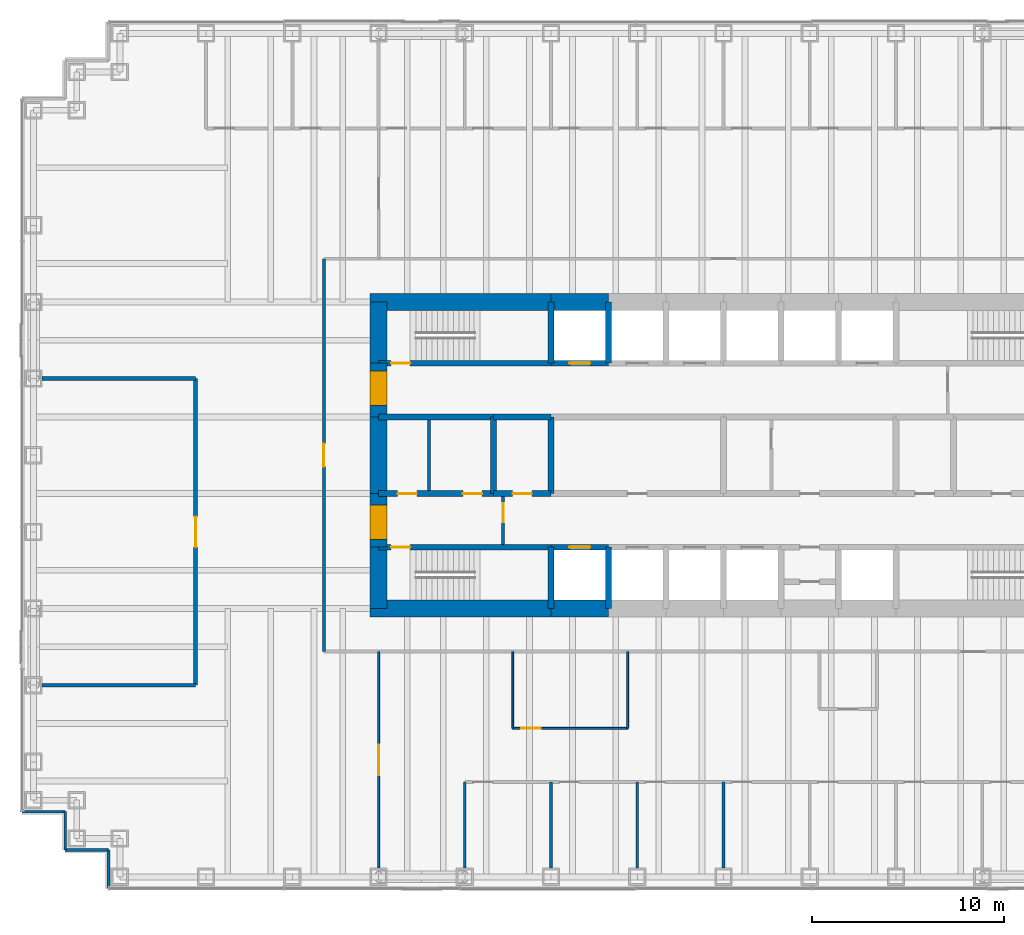
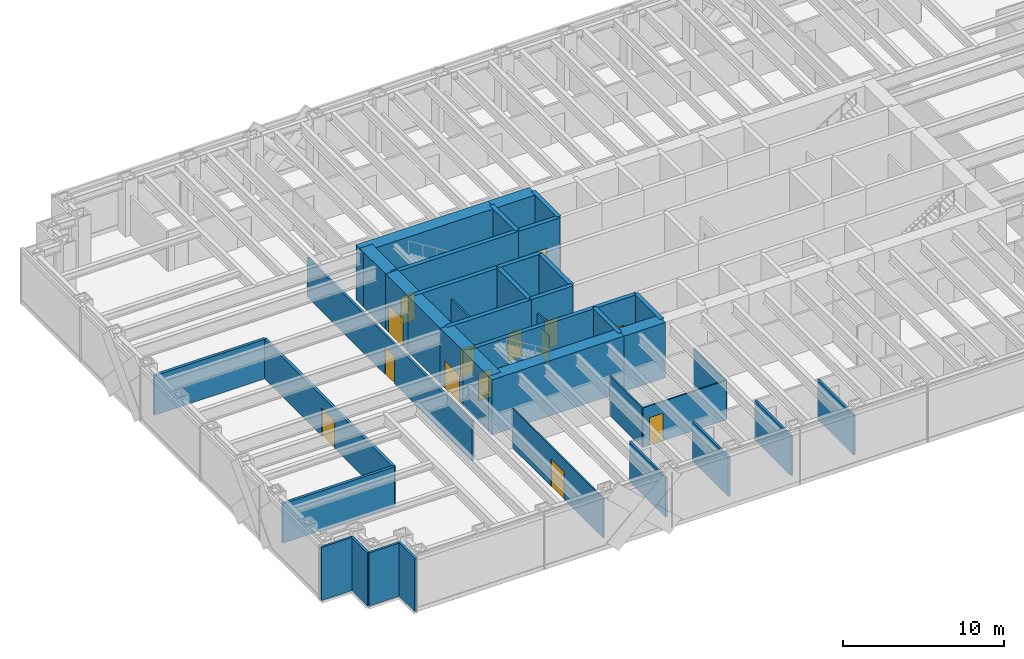
# One storey, part 14 of 19: 41 walls, 14 doors, 14 openings.
"""IFC4 building model written with IfcOpenShell, lengths in metres."""

from ifc_helpers import new_model, si_unit, direction, frame, frame_2d, origin, place, context, subcontext, project, spatial, rectangle, extrude, material, layer, layer_set, type_object, element, fill, save


model = new_model("IFC4")

# Units and contexts
model_context = context("Model", 3, precision=1e-05, world=origin(), true_north=direction((0.0, 1.0)))
body_context = subcontext(model_context, "Body", "Model", "MODEL_VIEW")
ifc_project = project(units=[si_unit("LENGTHUNIT", "METRE"), si_unit("AREAUNIT", "SQUARE_METRE"), si_unit("VOLUMEUNIT", "CUBIC_METRE"), si_unit("PLANEANGLEUNIT", "RADIAN"), si_unit("MASSUNIT", "GRAM", prefix="KILO")], contexts=[model_context])

# Site, building, storey
site_placement = place(None, origin())
site = spatial("IfcSite", under=ifc_project, at=site_placement, CompositionType="ELEMENT")
building_placement = place(site_placement, origin())
building = spatial("IfcBuilding", under=site, at=building_placement, Name="Rheinbord Bourse Tower", CompositionType="ELEMENT")
storey_placement = place(building_placement, frame((0.0, 0.0, 167.699951171875)))
storey = spatial("IfcBuildingStorey", under=building, at=storey_placement, Name="L37", CompositionType="ELEMENT", Elevation=167.699951171875)

# Walls
ifc_material_1 = material(Name="Acoustic gypsum board partition", Category="gypsum board")
ifc_layer_1 = layer(ifc_material_1, 0.199951171875)
ifc_layer_set_1 = layer_set([ifc_layer_1], Name="ACOUSTIC PARTITION 200")
wall_type_1 = type_object("IfcWallType", Name="ACOUSTIC PARTITION 200", PredefinedType="PARTITIONING", material=ifc_layer_set_1)
for number, where, z_axis, x_axis, name in (
    (1, (0.449951171875, 12.0, 0.0), (0.0, 0.0, 1.0), (1.0, 0.0, 0.0), "Partition L37-04"),
    (2, (0.449951171875, 28.0, 0.0), (0.0, 0.0, 1.0), (1.0, 0.0, 0.0), "Partition L37-10"),
):
    element("IfcWall", number, at=place(storey_placement, frame(where, z_axis=z_axis, x_axis=x_axis)), inside=storey, type_object=wall_type_1, Name=name, PredefinedType="PARTITIONING", context=body_context, shape_type="SweptSolid", body=[
        extrude(rectangle(XDim=8.0, YDim=0.199951171875, at=frame_2d((4.0, 0.0))), origin(), (0.0, 0.0, 1.0), 3.0),
    ])

# Wall, opening, door
wall_1_placement = place(storey_placement, frame((8.449951171875, 12.0, 0.0), z_axis=(0.0, 0.0, 1.0), x_axis=(0.0, 1.0, 0.0)))
wall_1 = element("IfcWall", 3, at=wall_1_placement, inside=storey, type_object=wall_type_1, Name="Partition L37-15", PredefinedType="PARTITIONING", context=body_context, shape_type="SweptSolid", body=[
    extrude(rectangle(XDim=16.0, YDim=0.199951171875, at=frame_2d((8.0, 0.0))), origin(), (0.0, 0.0, 1.0), 3.0),
])
opening_1_placement = place(wall_1_placement, frame((7.199951171875, 0.0, 0.0)))
opening_1 = element("IfcOpeningElement", 4, at=opening_1_placement, cuts=wall_1, Name="Opening 37D12", PredefinedType="OPENING", context=body_context, shape_type="SweptSolid", body=[
    extrude(rectangle(XDim=1.60009765625, YDim=2.10009765625, at=frame_2d((0.800048828125, 1.050048828125))), frame((0.0, 0.10986328125, 0.0), z_axis=(0.0, -1.0, 0.0), x_axis=(1.0, 0.0, 0.0)), (0.0, 0.0, 1.0), 0.219970703125),
])
ifc_material_2 = material(Name="Timber door", Category="wood")
door_type_1 = type_object("IfcDoorType", Name="DOUBLE ROOM DOOR 1600", OperationType="DOUBLE_DOOR_DOUBLE_SWING", PredefinedType="DOOR", material=ifc_material_2)
door_1_placement = place(opening_1_placement, origin())
door_1 = element("IfcDoor", 5, at=door_1_placement, inside=storey, type_object=door_type_1, Name="Hearing room door L37", OperationType="SINGLE_SWING_LEFT", OverallHeight=2.10009765625, OverallWidth=1.60009765625, PredefinedType="DOOR", context=body_context, shape_type="SweptSolid", body=[
    extrude(rectangle(XDim=1.60009765625, YDim=2.10009765625, at=frame_2d((0.800048828125, 1.050048828125))), frame((0.0, 0.02490234375, 0.0), z_axis=(0.0, -1.0, 0.0), x_axis=(1.0, 0.0, 0.0)), (0.0, 0.0, 1.0), 0.050048828125),
])
fill(opening_1, door_1)

ifc_material_3 = material(Name="Concrete C50/60", Category="concrete")
ifc_layer_2 = layer(ifc_material_3, 0.300048828125)
ifc_layer_set_2 = layer_set([ifc_layer_2], Name="CORE INNER WALL 300")
wall_type_2 = type_object("IfcWallType", Name="CORE INNER WALL 300", PredefinedType="SOLIDWALL", material=ifc_layer_set_2)
wall_2_placement = place(storey_placement, frame((18.0, 19.199951171875, 0.0), z_axis=(0.0, 0.0, 1.0), x_axis=(1.0, 0.0, 0.0)))
wall_2 = element("IfcWall", 6, at=wall_2_placement, inside=storey, type_object=wall_type_2, Name="Core wall A1 L37", PredefinedType="SOLIDWALL", context=body_context, shape_type="SweptSolid", body=[
    extrude(rectangle(XDim=9.0, YDim=0.300048828125, at=frame_2d((4.5, 0.0))), origin(), (0.0, 0.0, 1.0), 4.199951171875),
])
opening_2_placement = place(wall_2_placement, frame((0.64990234375, 0.0, 0.0)))
opening_2 = element("IfcOpeningElement", 7, at=opening_2_placement, cuts=wall_2, Name="Opening 3710", PredefinedType="OPENING", context=body_context, shape_type="SweptSolid", body=[
    extrude(rectangle(XDim=1.0, YDim=2.10009765625, at=frame_2d((0.5, 1.050048828125))), frame((0.0, 0.159912109375, 0.0), z_axis=(0.0, -1.0, 0.0), x_axis=(1.0, 0.0, 0.0)), (0.0, 0.0, 1.0), 0.320068359375),
])
ifc_material_4 = material(Name="Steel door", Category="steel")
door_type_2 = type_object("IfcDoorType", Name="DOOR 1000 EI30", OperationType="SINGLE_SWING_LEFT", PredefinedType="DOOR", material=ifc_material_4)
door_2_placement = place(opening_2_placement, origin())
door_2 = element("IfcDoor", 8, at=door_2_placement, inside=storey, type_object=door_type_2, Name="Stair door ST1 L37", OperationType="SINGLE_SWING_LEFT", OverallHeight=2.10009765625, OverallWidth=1.0, PredefinedType="DOOR", context=body_context, shape_type="SweptSolid", body=[
    extrude(rectangle(XDim=1.0, YDim=2.10009765625, at=frame_2d((0.5, 1.050048828125))), frame((0.0, 0.02490234375, 0.0), z_axis=(0.0, -1.0, 0.0), x_axis=(1.0, 0.0, 0.0)), (0.0, 0.0, 1.0), 0.050048828125),
])
fill(opening_2, door_2)

wall_3_placement = place(storey_placement, frame((27.0, 19.199951171875, 0.0), z_axis=(0.0, 0.0, 1.0), x_axis=(1.0, 0.0, 0.0)))
wall_3 = element("IfcWall", 9, at=wall_3_placement, inside=storey, type_object=wall_type_2, Name="Core wall A2 L37", PredefinedType="SOLIDWALL", context=body_context, shape_type="SweptSolid", body=[
    extrude(rectangle(XDim=3.0, YDim=0.300048828125, at=frame_2d((1.5, 0.0))), origin(), (0.0, 0.0, 1.0), 4.199951171875),
])
opening_3_placement = place(wall_3_placement, frame((0.949951171875, 0.0, 0.0)))
opening_3 = element("IfcOpeningElement", 10, at=opening_3_placement, cuts=wall_3, Name="Opening FL1", PredefinedType="OPENING", context=body_context, shape_type="SweptSolid", body=[
    extrude(rectangle(XDim=1.10009765625, YDim=2.199951171875, at=frame_2d((0.550048828125, 1.10009765625))), frame((0.0, 0.159912109375, 0.0), z_axis=(0.0, -1.0, 0.0), x_axis=(1.0, 0.0, 0.0)), (0.0, 0.0, 1.0), 0.320068359375),
])
ifc_material_5 = material(Name="Steel landing door", Category="steel")
door_type_3 = type_object("IfcDoorType", Name="LIFT LANDING DOOR 1100", OperationType="DOUBLE_DOOR_SLIDING", PredefinedType="USERDEFINED", material=ifc_material_5)
door_3_placement = place(opening_3_placement, origin())
door_3 = element("IfcDoor", 11, at=door_3_placement, inside=storey, type_object=door_type_3, Name="Lift landing door FL1 L37", ObjectType="LIFT LANDING DOOR", OperationType="DOUBLE_DOOR_SLIDING", OverallHeight=2.199951171875, OverallWidth=1.10009765625, PredefinedType="USERDEFINED", context=body_context, shape_type="SweptSolid", body=[
    extrude(rectangle(XDim=1.10009765625, YDim=2.199951171875, at=frame_2d((0.550048828125, 1.10009765625))), frame((0.0, 0.02490234375, 0.0), z_axis=(0.0, -1.0, 0.0), x_axis=(1.0, 0.0, 0.0)), (0.0, 0.0, 1.0), 0.050048828125),
])
fill(opening_3, door_3)

wall_4_placement = place(storey_placement, frame((18.0, 28.800048828125, 0.0), z_axis=(0.0, 0.0, 1.0), x_axis=(1.0, 0.0, 0.0)))
wall_4 = element("IfcWall", 12, at=wall_4_placement, inside=storey, type_object=wall_type_2, Name="Core wall B1 L37", PredefinedType="SOLIDWALL", context=body_context, shape_type="SweptSolid", body=[
    extrude(rectangle(XDim=9.0, YDim=0.300048828125, at=frame_2d((4.5, 0.0))), origin(), (0.0, 0.0, 1.0), 4.199951171875),
])
opening_4_placement = place(wall_4_placement, frame((0.64990234375, 0.0, 0.0)))
opening_4 = element("IfcOpeningElement", 13, at=opening_4_placement, cuts=wall_4, Name="Opening 3720", PredefinedType="OPENING", context=body_context, shape_type="SweptSolid", body=[
    extrude(rectangle(XDim=1.0, YDim=2.10009765625, at=frame_2d((0.5, 1.050048828125))), frame((0.0, 0.159912109375, 0.0), z_axis=(0.0, -1.0, 0.0), x_axis=(1.0, 0.0, 0.0)), (0.0, 0.0, 1.0), 0.320068359375),
])
door_4_placement = place(opening_4_placement, origin())
door_4 = element("IfcDoor", 14, at=door_4_placement, inside=storey, type_object=door_type_2, Name="Stair door ST2 L37", OperationType="SINGLE_SWING_LEFT", OverallHeight=2.10009765625, OverallWidth=1.0, PredefinedType="DOOR", context=body_context, shape_type="SweptSolid", body=[
    extrude(rectangle(XDim=1.0, YDim=2.10009765625, at=frame_2d((0.5, 1.050048828125))), frame((0.0, 0.02490234375, 0.0), z_axis=(0.0, -1.0, 0.0), x_axis=(1.0, 0.0, 0.0)), (0.0, 0.0, 1.0), 0.050048828125),
])
fill(opening_4, door_4)

wall_5_placement = place(storey_placement, frame((27.0, 28.800048828125, 0.0), z_axis=(0.0, 0.0, 1.0), x_axis=(1.0, 0.0, 0.0)))
wall_5 = element("IfcWall", 15, at=wall_5_placement, inside=storey, type_object=wall_type_2, Name="Core wall B2 L37", PredefinedType="SOLIDWALL", context=body_context, shape_type="SweptSolid", body=[
    extrude(rectangle(XDim=3.0, YDim=0.300048828125, at=frame_2d((1.5, 0.0))), origin(), (0.0, 0.0, 1.0), 4.199951171875),
])
opening_5_placement = place(wall_5_placement, frame((0.949951171875, 0.0, 0.0)))
opening_5 = element("IfcOpeningElement", 16, at=opening_5_placement, cuts=wall_5, Name="Opening GL1", PredefinedType="OPENING", context=body_context, shape_type="SweptSolid", body=[
    extrude(rectangle(XDim=1.10009765625, YDim=2.199951171875, at=frame_2d((0.550048828125, 1.10009765625))), frame((0.0, 0.159912109375, 0.0), z_axis=(0.0, -1.0, 0.0), x_axis=(1.0, 0.0, 0.0)), (0.0, 0.0, 1.0), 0.320068359375),
])
door_5_placement = place(opening_5_placement, origin())
door_5 = element("IfcDoor", 17, at=door_5_placement, inside=storey, type_object=door_type_3, Name="Lift landing door GL1 L37", ObjectType="LIFT LANDING DOOR", OperationType="DOUBLE_DOOR_SLIDING", OverallHeight=2.199951171875, OverallWidth=1.10009765625, PredefinedType="USERDEFINED", context=body_context, shape_type="SweptSolid", body=[
    extrude(rectangle(XDim=1.10009765625, YDim=2.199951171875, at=frame_2d((0.550048828125, 1.10009765625))), frame((0.0, 0.02490234375, 0.0), z_axis=(0.0, -1.0, 0.0), x_axis=(1.0, 0.0, 0.0)), (0.0, 0.0, 1.0), 0.050048828125),
])
fill(opening_5, door_5)

# Wall, openings, doors
wall_6_placement = place(storey_placement, frame((18.0, 22.0, 0.0), z_axis=(0.0, 0.0, 1.0), x_axis=(1.0, 0.0, 0.0)))
wall_6 = element("IfcWall", 18, at=wall_6_placement, inside=storey, type_object=wall_type_2, Name="Core wall C1 L37", PredefinedType="SOLIDWALL", context=body_context, shape_type="SweptSolid", body=[
    extrude(rectangle(XDim=6.0, YDim=0.300048828125, at=frame_2d((3.0, 0.0))), origin(), (0.0, 0.0, 1.0), 4.199951171875),
])
opening_6_placement = place(wall_6_placement, frame((4.39990234375, 0.0, 0.0)))
opening_6 = element("IfcOpeningElement", 19, at=opening_6_placement, cuts=wall_6, Name="Opening 37R1", PredefinedType="OPENING", context=body_context, shape_type="SweptSolid", body=[
    extrude(rectangle(XDim=1.0, YDim=2.10009765625, at=frame_2d((0.5, 1.050048828125))), frame((0.0, 0.159912109375, 0.0), z_axis=(0.0, -1.0, 0.0), x_axis=(1.0, 0.0, 0.0)), (0.0, 0.0, 1.0), 0.320068359375),
])
opening_7_placement = place(wall_6_placement, frame((1.0, 0.0, 0.0)))
opening_7 = element("IfcOpeningElement", 20, at=opening_7_placement, cuts=wall_6, Name="Opening 37R9", PredefinedType="OPENING", context=body_context, shape_type="SweptSolid", body=[
    extrude(rectangle(XDim=1.0, YDim=2.10009765625, at=frame_2d((0.5, 1.050048828125))), frame((0.0, 0.159912109375, 0.0), z_axis=(0.0, -1.0, 0.0), x_axis=(1.0, 0.0, 0.0)), (0.0, 0.0, 1.0), 0.320068359375),
])
door_6_placement = place(opening_7_placement, origin())
door_6 = element("IfcDoor", 21, at=door_6_placement, inside=storey, type_object=door_type_2, Name="Baby change door L37", OperationType="SINGLE_SWING_LEFT", OverallHeight=2.10009765625, OverallWidth=1.0, PredefinedType="DOOR", context=body_context, shape_type="SweptSolid", body=[
    extrude(rectangle(XDim=1.0, YDim=2.10009765625, at=frame_2d((0.5, 1.050048828125))), frame((0.0, 0.02490234375, 0.0), z_axis=(0.0, -1.0, 0.0), x_axis=(1.0, 0.0, 0.0)), (0.0, 0.0, 1.0), 0.050048828125),
])
fill(opening_7, door_6)
ifc_material_6 = material(Name="Timber door", Category="wood")
door_type_4 = type_object("IfcDoorType", Name="DOOR 1000 WC", OperationType="SINGLE_SWING_LEFT", PredefinedType="DOOR", material=ifc_material_6)
door_7_placement = place(opening_6_placement, origin())
door_7 = element("IfcDoor", 22, at=door_7_placement, inside=storey, type_object=door_type_4, Name="WC men door L37", OperationType="SINGLE_SWING_RIGHT", OverallHeight=2.10009765625, OverallWidth=1.0, PredefinedType="DOOR", context=body_context, shape_type="SweptSolid", body=[
    extrude(rectangle(XDim=1.0, YDim=2.10009765625, at=frame_2d((0.5, 1.050048828125))), frame((0.0, 0.02490234375, 0.0), z_axis=(0.0, -1.0, 0.0), x_axis=(1.0, 0.0, 0.0)), (0.0, 0.0, 1.0), 0.050048828125),
])
fill(opening_6, door_7)

# Wall, opening, door
wall_7_placement = place(storey_placement, frame((24.0, 22.0, 0.0), z_axis=(0.0, 0.0, 1.0), x_axis=(1.0, 0.0, 0.0)))
wall_7 = element("IfcWall", 23, at=wall_7_placement, inside=storey, type_object=wall_type_2, Name="Core wall C2 L37", PredefinedType="SOLIDWALL", context=body_context, shape_type="SweptSolid", body=[
    extrude(rectangle(XDim=3.0, YDim=0.300048828125, at=frame_2d((1.5, 0.0))), origin(), (0.0, 0.0, 1.0), 4.199951171875),
])
opening_8_placement = place(wall_7_placement, frame((1.0, 0.0, 0.0)))
opening_8 = element("IfcOpeningElement", 24, at=opening_8_placement, cuts=wall_7, Name="Opening 37R2", PredefinedType="OPENING", context=body_context, shape_type="SweptSolid", body=[
    extrude(rectangle(XDim=1.0, YDim=2.10009765625, at=frame_2d((0.5, 1.050048828125))), frame((0.0, 0.159912109375, 0.0), z_axis=(0.0, -1.0, 0.0), x_axis=(1.0, 0.0, 0.0)), (0.0, 0.0, 1.0), 0.320068359375),
])
door_8_placement = place(opening_8_placement, origin())
door_8 = element("IfcDoor", 25, at=door_8_placement, inside=storey, type_object=door_type_4, Name="Accessible WC door L37", OperationType="SINGLE_SWING_LEFT", OverallHeight=2.10009765625, OverallWidth=1.0, PredefinedType="DOOR", context=body_context, shape_type="SweptSolid", body=[
    extrude(rectangle(XDim=1.0, YDim=2.10009765625, at=frame_2d((0.5, 1.050048828125))), frame((0.0, 0.02490234375, 0.0), z_axis=(0.0, -1.0, 0.0), x_axis=(1.0, 0.0, 0.0)), (0.0, 0.0, 1.0), 0.050048828125),
])
fill(opening_8, door_8)

# Walls
wall_8_placement = place(storey_placement, frame((18.0, 26.0, 0.0), z_axis=(0.0, 0.0, 1.0), x_axis=(1.0, 0.0, 0.0)))
element("IfcWall", 26, at=wall_8_placement, inside=storey, type_object=wall_type_2, Name="Core wall D1 L37", PredefinedType="SOLIDWALL", context=body_context, shape_type="SweptSolid", body=[
    extrude(rectangle(XDim=6.0, YDim=0.300048828125, at=frame_2d((3.0, 0.0))), origin(), (0.0, 0.0, 1.0), 4.199951171875),
])
wall_9_placement = place(storey_placement, frame((24.0, 26.0, 0.0), z_axis=(0.0, 0.0, 1.0), x_axis=(1.0, 0.0, 0.0)))
element("IfcWall", 27, at=wall_9_placement, inside=storey, type_object=wall_type_2, Name="Core wall D2 L37", PredefinedType="SOLIDWALL", context=body_context, shape_type="SweptSolid", body=[
    extrude(rectangle(XDim=3.0, YDim=0.300048828125, at=frame_2d((1.5, 0.0))), origin(), (0.0, 0.0, 1.0), 4.199951171875),
])
for number, where, z_axis, x_axis, name in (
    (28, (27.0, 16.0, 0.0), (0.0, 0.0, 1.0), (0.0, 1.0, 0.0), "Core wall SX27 L37"),
    (29, (27.0, 28.800048828125, 0.0), (0.0, 0.0, 1.0), (0.0, 1.0, 0.0), "Core wall NX27 L37"),
    (30, (30.0, 16.0, 0.0), (0.0, 0.0, 1.0), (0.0, 1.0, 0.0), "Core wall SX30 L37"),
    (31, (30.0, 28.800048828125, 0.0), (0.0, 0.0, 1.0), (0.0, 1.0, 0.0), "Core wall NX30 L37"),
):
    element("IfcWall", number, at=place(storey_placement, frame(where, z_axis=z_axis, x_axis=x_axis)), inside=storey, type_object=wall_type_2, Name=name, PredefinedType="SOLIDWALL", context=body_context, shape_type="SweptSolid", body=[
        extrude(rectangle(XDim=3.199951171875, YDim=0.300048828125, at=frame_2d((1.60009765625, 0.0))), origin(), (0.0, 0.0, 1.0), 4.199951171875),
    ])
for number, where, z_axis, x_axis, name in (
    (32, (24.0, 22.0, 0.0), (0.0, 0.0, 1.0), (0.0, 1.0, 0.0), "Core wall MX24 L37"),
    (33, (27.0, 22.0, 0.0), (0.0, 0.0, 1.0), (0.0, 1.0, 0.0), "Core wall MX27 L37"),
):
    element("IfcWall", number, at=place(storey_placement, frame(where, z_axis=z_axis, x_axis=x_axis)), inside=storey, type_object=wall_type_2, Name=name, PredefinedType="SOLIDWALL", context=body_context, shape_type="SweptSolid", body=[
        extrude(rectangle(XDim=4.0, YDim=0.300048828125, at=frame_2d((2.0, 0.0))), origin(), (0.0, 0.0, 1.0), 4.199951171875),
    ])
ifc_material_7 = material(Name="Gypsum board fire partition", Category="gypsum board")
ifc_layer_3 = layer(ifc_material_7, 0.14990234375)
ifc_layer_set_3 = layer_set([ifc_layer_3], Name="CORE PARTITION 150 EI30")
wall_type_3 = type_object("IfcWallType", Name="CORE PARTITION 150 EI30", PredefinedType="PARTITIONING", material=ifc_layer_set_3)
wall_10_placement = place(storey_placement, frame((20.625, 22.14990234375, 0.0), z_axis=(0.0, 0.0, 1.0), x_axis=(0.0, 1.0, 0.0)))
element("IfcWall", 34, at=wall_10_placement, inside=storey, type_object=wall_type_3, Name="Core partition L37-2", PredefinedType="PARTITIONING", context=body_context, shape_type="SweptSolid", body=[
    extrude(rectangle(XDim=3.7001953125, YDim=0.14990234375, at=frame_2d((1.85009765625, 0.0))), origin(), (0.0, 0.0, 1.0), 3.0),
])

# Wall, opening, door
wall_11_placement = place(storey_placement, frame((24.5, 19.35009765625, 0.0), z_axis=(0.0, 0.0, 1.0), x_axis=(0.0, 1.0, 0.0)))
wall_11 = element("IfcWall", 35, at=wall_11_placement, inside=storey, type_object=wall_type_3, Name="Core partition L37-4", PredefinedType="PARTITIONING", context=body_context, shape_type="SweptSolid", body=[
    extrude(rectangle(XDim=2.5, YDim=0.14990234375, at=frame_2d((1.25, 0.0))), origin(), (0.0, 0.0, 1.0), 3.0),
])
opening_9_placement = place(wall_11_placement, frame((1.14990234375, 0.0, 0.0)))
opening_9 = element("IfcOpeningElement", 36, at=opening_9_placement, cuts=wall_11, Name="Opening 37L5", PredefinedType="OPENING", context=body_context, shape_type="SweptSolid", body=[
    extrude(rectangle(XDim=1.0, YDim=2.10009765625, at=frame_2d((0.5, 1.050048828125))), frame((0.0, 0.0849609375, 0.0), z_axis=(0.0, -1.0, 0.0), x_axis=(1.0, 0.0, 0.0)), (0.0, 0.0, 1.0), 0.169921875),
])
door_9_placement = place(opening_9_placement, origin())
door_9 = element("IfcDoor", 37, at=door_9_placement, inside=storey, type_object=door_type_2, Name="Stair lobby door L37", OperationType="SINGLE_SWING_RIGHT", OverallHeight=2.10009765625, OverallWidth=1.0, PredefinedType="DOOR", context=body_context, shape_type="SweptSolid", body=[
    extrude(rectangle(XDim=1.0, YDim=2.10009765625, at=frame_2d((0.5, 1.050048828125))), frame((0.0, 0.02490234375, 0.0), z_axis=(0.0, -1.0, 0.0), x_axis=(1.0, 0.0, 0.0)), (0.0, 0.0, 1.0), 0.050048828125),
])
fill(opening_9, door_9)

# Walls
ifc_material_8 = material(Name="Concrete C50/60", Category="concrete")
ifc_layer_4 = layer(ifc_material_8, 0.89990234375)
ifc_layer_set_4 = layer_set([ifc_layer_4], Name="CORE WALL 900")
wall_type_4 = type_object("IfcWallType", Name="CORE WALL 900", PredefinedType="SHEAR", material=ifc_layer_set_4)
wall_12_placement = place(storey_placement, frame((17.550048828125, 16.0, 0.0), z_axis=(0.0, 0.0, 1.0), x_axis=(1.0, 0.0, 0.0)))
element("IfcWall", 38, at=wall_12_placement, inside=storey, type_object=wall_type_4, Name="Core wall S1 L37", PredefinedType="SHEAR", context=body_context, shape_type="SweptSolid", body=[
    extrude(rectangle(XDim=9.449951171875, YDim=0.89990234375, at=frame_2d((4.72509765625, 0.0))), origin(), (0.0, 0.0, 1.0), 4.199951171875),
])
for number, where, z_axis, x_axis, name in (
    (39, (27.0, 16.0, 0.0), (0.0, 0.0, 1.0), (1.0, 0.0, 0.0), "Core wall S2 L37"),
    (40, (30.0, 32.0, 0.0), (0.0, 0.0, 1.0), (-1.0, 0.0, 0.0), "Core wall N7 L37"),
):
    element("IfcWall", number, at=place(storey_placement, frame(where, z_axis=z_axis, x_axis=x_axis)), inside=storey, type_object=wall_type_4, Name=name, PredefinedType="SHEAR", context=body_context, shape_type="SweptSolid", body=[
        extrude(rectangle(XDim=3.0, YDim=0.89990234375, at=frame_2d((1.5, 0.0))), origin(), (0.0, 0.0, 1.0), 4.199951171875),
    ])
wall_13_placement = place(storey_placement, frame((27.0, 32.0, 0.0), z_axis=(0.0, 0.0, 1.0), x_axis=(-1.0, 0.0, 0.0)))
element("IfcWall", 41, at=wall_13_placement, inside=storey, type_object=wall_type_4, Name="Core wall N8 L37", PredefinedType="SHEAR", context=body_context, shape_type="SweptSolid", body=[
    extrude(rectangle(XDim=9.449951171875, YDim=0.89990234375, at=frame_2d((4.72509765625, 0.0))), origin(), (0.0, 0.0, 1.0), 4.199951171875),
])
wall_14_placement = place(storey_placement, frame((18.0, 32.0, 0.0), z_axis=(0.0, 0.0, 1.0), x_axis=(0.0, -1.0, 0.0)))
element("IfcWall", 42, at=wall_14_placement, inside=storey, type_object=wall_type_4, Name="Core wall W1 L37", PredefinedType="SHEAR", context=body_context, shape_type="SweptSolid", body=[
    extrude(rectangle(XDim=3.199951171875, YDim=0.89990234375, at=frame_2d((1.60009765625, 0.0))), origin(), (0.0, 0.0, 1.0), 4.199951171875),
])

# Wall, opening, door
wall_15_placement = place(storey_placement, frame((18.0, 28.800048828125, 0.0), z_axis=(0.0, 0.0, 1.0), x_axis=(0.0, -1.0, 0.0)))
wall_15 = element("IfcWall", 43, at=wall_15_placement, inside=storey, type_object=wall_type_4, Name="Core wall W2 L37", PredefinedType="SHEAR", context=body_context, shape_type="SweptSolid", body=[
    extrude(rectangle(XDim=2.800048828125, YDim=0.89990234375, at=frame_2d((1.39990234375, 0.0))), origin(), (0.0, 0.0, 1.0), 4.199951171875),
])
opening_10_placement = place(wall_15_placement, frame((0.39990234375, 0.0, 0.0)))
opening_10 = element("IfcOpeningElement", 44, at=opening_10_placement, cuts=wall_15, Name="Opening 37L2", PredefinedType="OPENING", context=body_context, shape_type="SweptSolid", body=[
    extrude(rectangle(XDim=1.800048828125, YDim=2.10009765625, at=frame_2d((0.89990234375, 1.050048828125))), frame((0.0, 0.4599609375, 0.0), z_axis=(0.0, -1.0, 0.0), x_axis=(1.0, 0.0, 0.0)), (0.0, 0.0, 1.0), 0.919921875),
])
ifc_material_9 = material(Name="Steel door", Category="steel")
door_type_5 = type_object("IfcDoorType", Name="DOOR 1800 EI30 DOUBLE", OperationType="DOUBLE_DOOR_DOUBLE_SWING", PredefinedType="DOOR", material=ifc_material_9)
door_10_placement = place(opening_10_placement, origin())
door_10 = element("IfcDoor", 45, at=door_10_placement, inside=storey, type_object=door_type_5, Name="Lobby door 2 L37", OperationType="SINGLE_SWING_LEFT", OverallHeight=2.10009765625, OverallWidth=1.800048828125, PredefinedType="DOOR", context=body_context, shape_type="SweptSolid", body=[
    extrude(rectangle(XDim=1.800048828125, YDim=2.10009765625, at=frame_2d((0.89990234375, 1.050048828125))), frame((0.0, 0.44970703125, 0.0), z_axis=(0.0, -1.0, 0.0), x_axis=(1.0, 0.0, 0.0)), (0.0, 0.0, 1.0), 0.8994140625),
])
fill(opening_10, door_10)

# Wall
wall_16_placement = place(storey_placement, frame((18.0, 26.0, 0.0), z_axis=(0.0, 0.0, 1.0), x_axis=(0.0, -1.0, 0.0)))
element("IfcWall", 46, at=wall_16_placement, inside=storey, type_object=wall_type_4, Name="Core wall W3 L37", PredefinedType="SHEAR", context=body_context, shape_type="SweptSolid", body=[
    extrude(rectangle(XDim=4.0, YDim=0.89990234375, at=frame_2d((2.0, 0.0))), origin(), (0.0, 0.0, 1.0), 4.199951171875),
])

# Wall, opening, door
wall_17_placement = place(storey_placement, frame((18.0, 22.0, 0.0), z_axis=(0.0, 0.0, 1.0), x_axis=(0.0, -1.0, 0.0)))
wall_17 = element("IfcWall", 47, at=wall_17_placement, inside=storey, type_object=wall_type_4, Name="Core wall W4 L37", PredefinedType="SHEAR", context=body_context, shape_type="SweptSolid", body=[
    extrude(rectangle(XDim=2.800048828125, YDim=0.89990234375, at=frame_2d((1.39990234375, 0.0))), origin(), (0.0, 0.0, 1.0), 4.199951171875),
])
opening_11_placement = place(wall_17_placement, frame((0.60009765625, 0.0, 0.0)))
opening_11 = element("IfcOpeningElement", 48, at=opening_11_placement, cuts=wall_17, Name="Opening 37L1", PredefinedType="OPENING", context=body_context, shape_type="SweptSolid", body=[
    extrude(rectangle(XDim=1.800048828125, YDim=2.10009765625, at=frame_2d((0.89990234375, 1.050048828125))), frame((0.0, 0.4599609375, 0.0), z_axis=(0.0, -1.0, 0.0), x_axis=(1.0, 0.0, 0.0)), (0.0, 0.0, 1.0), 0.919921875),
])
door_11_placement = place(opening_11_placement, origin())
door_11 = element("IfcDoor", 49, at=door_11_placement, inside=storey, type_object=door_type_5, Name="Lobby door 1 L37", OperationType="SINGLE_SWING_LEFT", OverallHeight=2.10009765625, OverallWidth=1.800048828125, PredefinedType="DOOR", context=body_context, shape_type="SweptSolid", body=[
    extrude(rectangle(XDim=1.800048828125, YDim=2.10009765625, at=frame_2d((0.89990234375, 1.050048828125))), frame((0.0, 0.44970703125, 0.0), z_axis=(0.0, -1.0, 0.0), x_axis=(1.0, 0.0, 0.0)), (0.0, 0.0, 1.0), 0.8994140625),
])
fill(opening_11, door_11)

# Walls
wall_18_placement = place(storey_placement, frame((18.0, 19.199951171875, 0.0), z_axis=(0.0, 0.0, 1.0), x_axis=(0.0, -1.0, 0.0)))
element("IfcWall", 50, at=wall_18_placement, inside=storey, type_object=wall_type_4, Name="Core wall W5 L37", PredefinedType="SHEAR", context=body_context, shape_type="SweptSolid", body=[
    extrude(rectangle(XDim=3.199951171875, YDim=0.89990234375, at=frame_2d((1.60009765625, 0.0))), origin(), (0.0, 0.0, 1.0), 4.199951171875),
])
ifc_material_10 = material(Name="Black metal rainscreen panel", Category="aluminium")
ifc_layer_5 = layer(ifc_material_10, 0.14990234375)
ifc_layer_set_5 = layer_set([ifc_layer_5], Name="CORNER PIER CLADDING 150")
wall_type_5 = type_object("IfcWallType", Name="CORNER PIER CLADDING 150", PredefinedType="ELEMENTEDWALL", material=ifc_layer_set_5)
wall_19_placement = place(storey_placement, frame((-0.60009765625, 5.39990234375, 0.0), z_axis=(0.0, 0.0, 1.0), x_axis=(1.0, 0.0, 0.0)))
element("IfcWall", 51, at=wall_19_placement, inside=storey, type_object=wall_type_5, Name="Corner pier cladding L37 17", PredefinedType="ELEMENTEDWALL", context=body_context, shape_type="SweptSolid", body=[
    extrude(rectangle(XDim=2.25, YDim=0.14990234375, at=frame_2d((1.125, 0.0))), origin(), (0.0, 0.0, 1.0), 4.0400390625),
])
wall_20_placement = place(storey_placement, frame((1.64990234375, 5.39990234375, 0.0), z_axis=(0.0, 0.0, 1.0), x_axis=(0.0, -1.0, 0.0)))
element("IfcWall", 52, at=wall_20_placement, inside=storey, type_object=wall_type_5, Name="Corner pier cladding L37 18", PredefinedType="ELEMENTEDWALL", context=body_context, shape_type="SweptSolid", body=[
    extrude(rectangle(XDim=2.0, YDim=0.14990234375, at=frame_2d((1.0, 0.0))), origin(), (0.0, 0.0, 1.0), 4.0400390625),
])
wall_21_placement = place(storey_placement, frame((1.64990234375, 3.39990234375, 0.0), z_axis=(0.0, 0.0, 1.0), x_axis=(1.0, 0.0, 0.0)))
element("IfcWall", 53, at=wall_21_placement, inside=storey, type_object=wall_type_5, Name="Corner pier cladding L37 19", PredefinedType="ELEMENTEDWALL", context=body_context, shape_type="SweptSolid", body=[
    extrude(rectangle(XDim=2.25, YDim=0.14990234375, at=frame_2d((1.125, 0.0))), origin(), (0.0, 0.0, 1.0), 4.0400390625),
])
wall_22_placement = place(storey_placement, frame((3.89990234375, 3.39990234375, 0.0), z_axis=(0.0, 0.0, 1.0), x_axis=(0.0, -1.0, 0.0)))
element("IfcWall", 54, at=wall_22_placement, inside=storey, type_object=wall_type_5, Name="Corner pier cladding L37 20", PredefinedType="ELEMENTEDWALL", context=body_context, shape_type="SweptSolid", body=[
    extrude(rectangle(XDim=2.0, YDim=0.14990234375, at=frame_2d((1.0, 0.0))), origin(), (0.0, 0.0, 1.0), 4.0400390625),
])

# Wall, opening, door
ifc_material_11 = material(Name="Gypsum board corridor partition", Category="gypsum board")
ifc_layer_6 = layer(ifc_material_11, 0.14990234375)
ifc_layer_set_6 = layer_set([ifc_layer_6], Name="CORRIDOR PARTITION 150 EI30")
wall_type_6 = type_object("IfcWallType", Name="CORRIDOR PARTITION 150 EI30", PredefinedType="PARTITIONING", material=ifc_layer_set_6)
wall_23_placement = place(storey_placement, frame((15.14990234375, 13.75, 0.0), z_axis=(0.0, 0.0, 1.0), x_axis=(0.0, 1.0, 0.0)))
wall_23 = element("IfcWall", 55, at=wall_23_placement, inside=storey, type_object=wall_type_6, Name="Partition L37-18", PredefinedType="PARTITIONING", context=body_context, shape_type="SweptSolid", body=[
    extrude(rectangle(XDim=20.5, YDim=0.14990234375, at=frame_2d((10.25, 0.0))), origin(), (0.0, 0.0, 1.0), 3.0),
])
opening_12_placement = place(wall_23_placement, frame((9.64990234375, 0.0, 0.0)))
opening_12 = element("IfcOpeningElement", 56, at=opening_12_placement, cuts=wall_23, Name="Opening 37D30", PredefinedType="OPENING", context=body_context, shape_type="SweptSolid", body=[
    extrude(rectangle(XDim=1.199951171875, YDim=2.10009765625, at=frame_2d((0.60009765625, 1.050048828125))), frame((0.0, 0.0849609375, 0.0), z_axis=(0.0, -1.0, 0.0), x_axis=(1.0, 0.0, 0.0)), (0.0, 0.0, 1.0), 0.169921875),
])
ifc_material_12 = material(Name="Timber fire door", Category="wood")
door_type_6 = type_object("IfcDoorType", Name="SUITE ENTRANCE DOOR 1200 EI30", OperationType="SINGLE_SWING_LEFT", PredefinedType="DOOR", material=ifc_material_12)
door_12_placement = place(opening_12_placement, origin())
door_12 = element("IfcDoor", 57, at=door_12_placement, inside=storey, type_object=door_type_6, Name="Suite entrance 1 door L37", OperationType="SINGLE_SWING_LEFT", OverallHeight=2.10009765625, OverallWidth=1.199951171875, PredefinedType="DOOR", context=body_context, shape_type="SweptSolid", body=[
    extrude(rectangle(XDim=1.199951171875, YDim=2.10009765625, at=frame_2d((0.60009765625, 1.050048828125))), frame((0.0, 0.02490234375, 0.0), z_axis=(0.0, -1.0, 0.0), x_axis=(1.0, 0.0, 0.0)), (0.0, 0.0, 1.0), 0.050048828125),
])
fill(opening_12, door_12)

ifc_material_13 = material(Name="Toughened laminated glass partition", Category="glass")
ifc_layer_7 = layer(ifc_material_13, 0.10009765625)
ifc_layer_set_7 = layer_set([ifc_layer_7], Name="GLAZED PARTITION 100")
wall_type_7 = type_object("IfcWallType", Name="GLAZED PARTITION 100", PredefinedType="PARTITIONING", material=ifc_layer_set_7)
wall_24_placement = place(storey_placement, frame((25.0, 9.75, 0.0), z_axis=(0.0, 0.0, 1.0), x_axis=(1.0, 0.0, 0.0)))
wall_24 = element("IfcWall", 58, at=wall_24_placement, inside=storey, type_object=wall_type_7, Name="Partition L37-02", PredefinedType="PARTITIONING", context=body_context, shape_type="SweptSolid", body=[
    extrude(rectangle(XDim=6.0, YDim=0.10009765625, at=frame_2d((3.0, 0.0))), origin(), (0.0, 0.0, 1.0), 3.0),
])
opening_13_placement = place(wall_24_placement, frame((0.449951171875, 0.0, 0.0)))
opening_13 = element("IfcOpeningElement", 59, at=opening_13_placement, cuts=wall_24, Name="Opening 37D08", PredefinedType="OPENING", context=body_context, shape_type="SweptSolid", body=[
    extrude(rectangle(XDim=1.0, YDim=2.10009765625, at=frame_2d((0.5, 1.050048828125))), frame((0.0, 0.06005859375, 0.0), z_axis=(0.0, -1.0, 0.0), x_axis=(1.0, 0.0, 0.0)), (0.0, 0.0, 1.0), 0.1201171875),
])
ifc_material_14 = material(Name="Timber door", Category="wood")
door_type_7 = type_object("IfcDoorType", Name="ROOM DOOR 1000", OperationType="SINGLE_SWING_LEFT", PredefinedType="DOOR", material=ifc_material_14)
door_13_placement = place(opening_13_placement, origin())
door_13 = element("IfcDoor", 60, at=door_13_placement, inside=storey, type_object=door_type_7, Name="Meeting room door L37", OperationType="SINGLE_SWING_LEFT", OverallHeight=2.10009765625, OverallWidth=1.0, PredefinedType="DOOR", context=body_context, shape_type="SweptSolid", body=[
    extrude(rectangle(XDim=1.0, YDim=2.10009765625, at=frame_2d((0.5, 1.050048828125))), frame((0.0, 0.02490234375, 0.0), z_axis=(0.0, -1.0, 0.0), x_axis=(1.0, 0.0, 0.0)), (0.0, 0.0, 1.0), 0.050048828125),
])
fill(opening_13, door_13)

wall_25_placement = place(storey_placement, frame((18.0, 2.449951171875, 0.0), z_axis=(0.0, 0.0, 1.0), x_axis=(0.0, 1.0, 0.0)))
wall_25 = element("IfcWall", 61, at=wall_25_placement, inside=storey, type_object=wall_type_7, Name="Partition L37-19", PredefinedType="PARTITIONING", context=body_context, shape_type="SweptSolid", body=[
    extrude(rectangle(XDim=11.300048828125, YDim=0.10009765625, at=frame_2d((5.64990234375, 0.0))), origin(), (0.0, 0.0, 1.0), 3.0),
])
opening_14_placement = place(wall_25_placement, frame((4.85009765625, 0.0, 0.0)))
opening_14 = element("IfcOpeningElement", 62, at=opening_14_placement, cuts=wall_25, Name="Opening 37D26", PredefinedType="OPENING", context=body_context, shape_type="SweptSolid", body=[
    extrude(rectangle(XDim=1.60009765625, YDim=2.10009765625, at=frame_2d((0.800048828125, 1.050048828125))), frame((0.0, 0.06005859375, 0.0), z_axis=(0.0, -1.0, 0.0), x_axis=(1.0, 0.0, 0.0)), (0.0, 0.0, 1.0), 0.1201171875),
])
door_14_placement = place(opening_14_placement, origin())
door_14 = element("IfcDoor", 63, at=door_14_placement, inside=storey, type_object=door_type_1, Name="Open area door L37", OperationType="SINGLE_SWING_LEFT", OverallHeight=2.10009765625, OverallWidth=1.60009765625, PredefinedType="DOOR", context=body_context, shape_type="SweptSolid", body=[
    extrude(rectangle(XDim=1.60009765625, YDim=2.10009765625, at=frame_2d((0.800048828125, 1.050048828125))), frame((0.0, 0.02490234375, 0.0), z_axis=(0.0, -1.0, 0.0), x_axis=(1.0, 0.0, 0.0)), (0.0, 0.0, 1.0), 0.050048828125),
])
fill(opening_14, door_14)

# Walls
for number, where, z_axis, x_axis, name in (
    (64, (25.0, 9.75, 0.0), (0.0, 0.0, 1.0), (0.0, 1.0, 0.0), "Partition L37-24"),
    (65, (31.0, 9.75, 0.0), (0.0, 0.0, 1.0), (0.0, 1.0, 0.0), "Partition L37-27"),
):
    element("IfcWall", number, at=place(storey_placement, frame(where, z_axis=z_axis, x_axis=x_axis)), inside=storey, type_object=wall_type_7, Name=name, PredefinedType="PARTITIONING", context=body_context, shape_type="SweptSolid", body=[
        extrude(rectangle(XDim=4.0, YDim=0.10009765625, at=frame_2d((2.0, 0.0))), origin(), (0.0, 0.0, 1.0), 3.0),
    ])
ifc_material_15 = material(Name="Gypsum board partition", Category="gypsum board")
ifc_layer_8 = layer(ifc_material_15, 0.14990234375)
ifc_layer_set_8 = layer_set([ifc_layer_8], Name="PARTITION 150")
wall_type_8 = type_object("IfcWallType", Name="PARTITION 150", PredefinedType="PARTITIONING", material=ifc_layer_set_8)
for number, where, z_axis, x_axis, name in (
    (66, (22.5, 2.449951171875, 0.0), (0.0, 0.0, 1.0), (0.0, 1.0, 0.0), "Partition L37-22"),
    (67, (27.0, 2.449951171875, 0.0), (0.0, 0.0, 1.0), (0.0, 1.0, 0.0), "Partition L37-25"),
    (68, (31.5, 2.449951171875, 0.0), (0.0, 0.0, 1.0), (0.0, 1.0, 0.0), "Partition L37-28"),
    (69, (36.0, 2.449951171875, 0.0), (0.0, 0.0, 1.0), (0.0, 1.0, 0.0), "Partition L37-30"),
):
    element("IfcWall", number, at=place(storey_placement, frame(where, z_axis=z_axis, x_axis=x_axis)), inside=storey, type_object=wall_type_8, Name=name, PredefinedType="PARTITIONING", context=body_context, shape_type="SweptSolid", body=[
        extrude(rectangle(XDim=4.5, YDim=0.14990234375, at=frame_2d((2.25, 0.0))), origin(), (0.0, 0.0, 1.0), 3.0),
    ])

save(model, "model.ifc")
